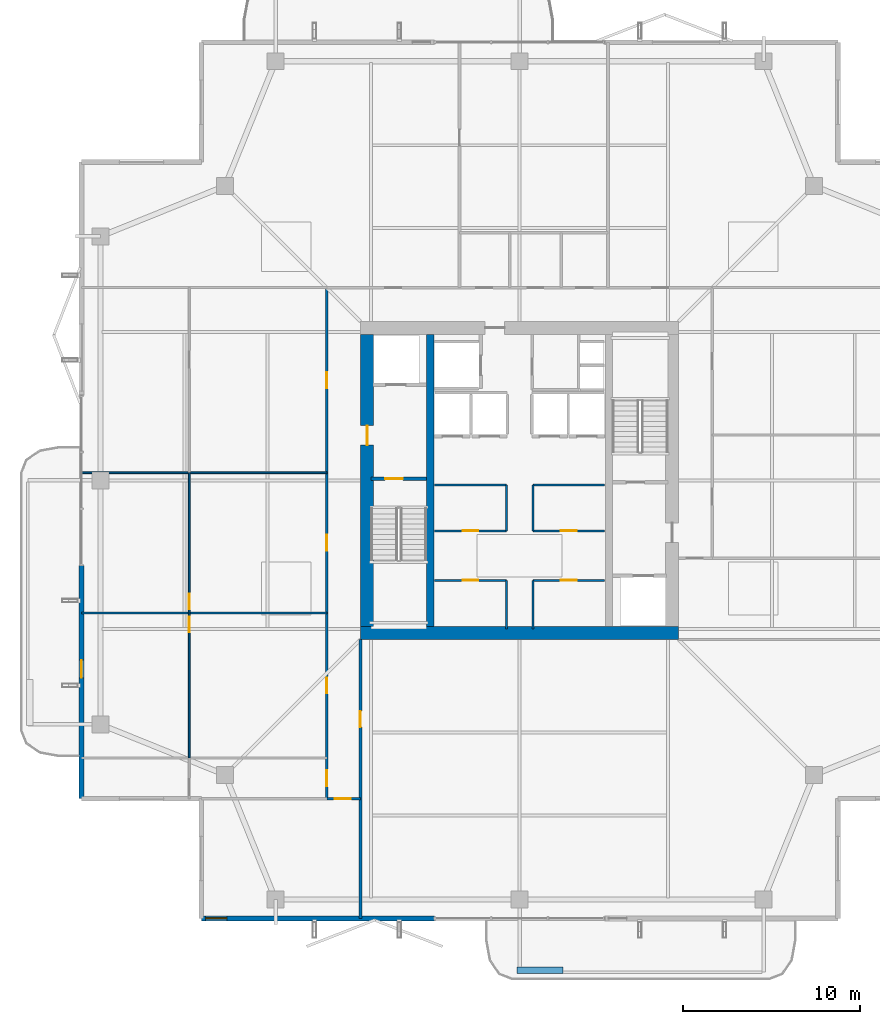
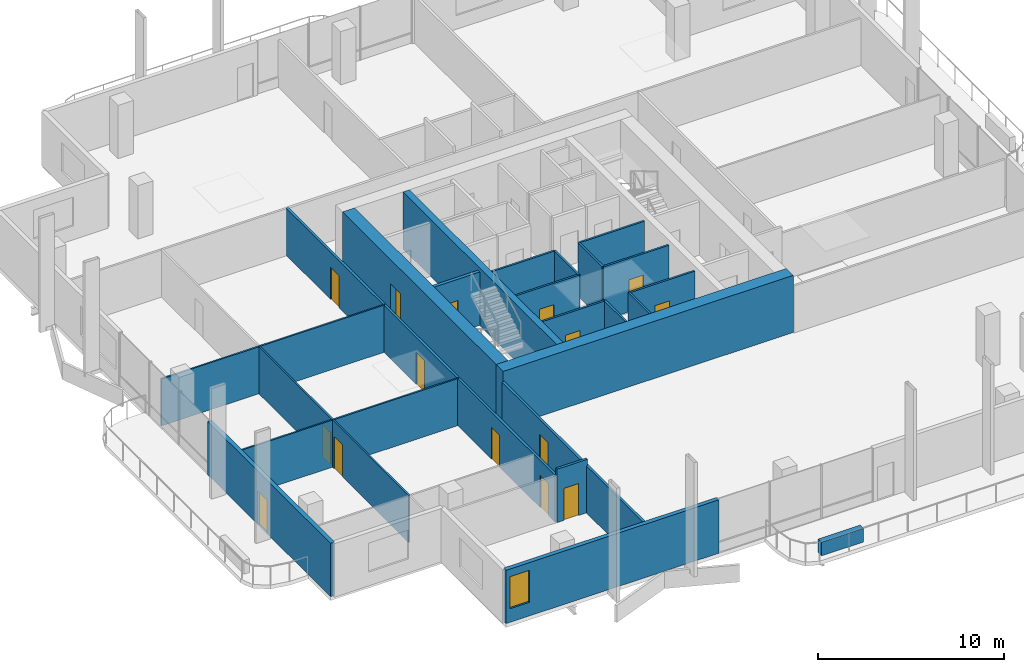
# One storey, part 18 of 25: 24 walls, 15 doors, 1 window, 16 openings.
"""IFC4 building model written with IfcOpenShell, lengths in metres."""

from ifc_helpers import new_model, si_unit, direction, frame, frame_2d, origin, place, context, subcontext, project, spatial, rectangle, extrude, material, layer, layer_set, type_object, element, fill, save


model = new_model("IFC4")

# Units and contexts
model_context = context("Model", 3, precision=1e-05, world=origin(), true_north=direction((0.0, 1.0)))
body_context = subcontext(model_context, "Body", "Model", "MODEL_VIEW")
ifc_project = project(units=[si_unit("LENGTHUNIT", "METRE"), si_unit("AREAUNIT", "SQUARE_METRE"), si_unit("VOLUMEUNIT", "CUBIC_METRE"), si_unit("PLANEANGLEUNIT", "RADIAN"), si_unit("MASSUNIT", "GRAM", prefix="KILO")], contexts=[model_context])

# Site, building, storey
site_placement = place(None, origin())
site = spatial("IfcSite", under=ifc_project, at=site_placement, CompositionType="ELEMENT")
building_placement = place(site_placement, origin())
building = spatial("IfcBuilding", under=site, at=building_placement, Name="Belovzor Exchange Tower", CompositionType="ELEMENT")
storey_placement = place(building_placement, frame((0.0, 0.0, 272.85009765625)))
storey = spatial("IfcBuildingStorey", under=building, at=storey_placement, Name="L68", CompositionType="ELEMENT", Elevation=272.85009765625)

# Wall, opening, door
ifc_material_1 = material(Name="Acoustic Laminated Glass and Aluminium", Category="aluminium")
ifc_layer_1 = layer(ifc_material_1, 0.10009765625)
ifc_layer_set_1 = layer_set([ifc_layer_1], Name="Acoustic Laminated Glass and Aluminium")
wall_type_1 = type_object("IfcWallType", Name="Demountable Executive Glass Partition 100", PredefinedType="MOVABLE", material=ifc_layer_set_1)
wall_1_placement = place(storey_placement, frame((10.114990234375, 13.10009765625, 0.0), z_axis=(0.0, 0.0, 1.0), x_axis=(0.0, 1.0, 0.0)))
wall_1 = element("IfcWall", 1, at=wall_1_placement, inside=storey, type_object=wall_type_1, Name="W-M100 Partition Wall W-L68-WHDIV-1", PredefinedType="MOVABLE", context=body_context, shape_type="SweptSolid", body=[
    extrude(rectangle(XDim=8.203857421875, YDim=0.10009765625, at=frame_2d((4.10205078125, 0.0))), origin(), (0.0, 0.0, 1.0), 3.0849609375),
])
opening_1_placement = place(wall_1_placement, frame((7.10400390625, 0.0, 0.0)))
opening_1 = element("IfcOpeningElement", 2, at=opening_1_placement, cuts=wall_1, Name="Opening D-INT-090", PredefinedType="OPENING", context=body_context, shape_type="SweptSolid", body=[
    extrude(rectangle(XDim=0.89990234375, YDim=2.10009765625, at=frame_2d((0.449951171875, 1.050048828125))), frame((0.0, 0.06005859375, 0.0), z_axis=(0.0, -1.0, 0.0), x_axis=(1.0, 0.0, 0.0)), (0.0, 0.0, 1.0), 0.1201171875),
])
ifc_material_2 = material(Name="Veneered Hardwood Acoustic Leaf", Category="wood")
door_type_1 = type_object("IfcDoorType", Name="Trading Suite Acoustic Single Door 900x2100", OperationType="NOTDEFINED", PredefinedType="DOOR", material=ifc_material_2)
door_1_placement = place(opening_1_placement, origin())
door_1 = element("IfcDoor", 3, at=door_1_placement, inside=storey, type_object=door_type_1, Name="D-INT-090 Trading Suite Acoustic Single Door 900x2100", OperationType="SINGLE_SWING_LEFT", OverallHeight=2.10009765625, OverallWidth=0.89990234375, PredefinedType="DOOR", context=body_context, shape_type="SweptSolid", body=[
    extrude(rectangle(XDim=0.89990234375, YDim=2.10009765625, at=frame_2d((0.449951171875, 1.050048828125))), frame((0.0, 0.02490234375, 0.0), z_axis=(0.0, -1.0, 0.0), x_axis=(1.0, 0.0, 0.0)), (0.0, 0.0, 1.0), 0.050048828125),
])
fill(opening_1, door_1)

# Wall
wall_2_placement = place(storey_placement, frame((4.030029296875, 21.303955078125, 0.0), z_axis=(0.0, 0.0, 1.0), x_axis=(1.0, 0.0, 0.0)))
element("IfcWall", 4, at=wall_2_placement, inside=storey, type_object=wall_type_1, Name="W-M100 Partition Wall W-L68-WDIV-2", PredefinedType="MOVABLE", context=body_context, shape_type="SweptSolid", body=[
    extrude(rectangle(XDim=13.869873046875, YDim=0.10009765625, at=frame_2d((6.93505859375, 0.0))), origin(), (0.0, 0.0, 1.0), 3.0849609375),
])

# Wall, opening, door
wall_3_placement = place(storey_placement, frame((10.114990234375, 21.303955078125, 0.0), z_axis=(0.0, 0.0, 1.0), x_axis=(0.0, 1.0, 0.0)))
wall_3 = element("IfcWall", 5, at=wall_3_placement, inside=storey, type_object=wall_type_1, Name="W-M100 Partition Wall W-L68-WHDIV-2", PredefinedType="MOVABLE", context=body_context, shape_type="SweptSolid", body=[
    extrude(rectangle(XDim=7.93115234375, YDim=0.10009765625, at=frame_2d((3.965576171875, 0.0))), origin(), (0.0, 0.0, 1.0), 3.0849609375),
])
opening_2_placement = place(wall_3_placement, frame((0.199951171875, 0.0, 0.0)))
opening_2 = element("IfcOpeningElement", 6, at=opening_2_placement, cuts=wall_3, Name="Opening D-INT-090", PredefinedType="OPENING", context=body_context, shape_type="SweptSolid", body=[
    extrude(rectangle(XDim=0.89990234375, YDim=2.10009765625, at=frame_2d((0.449951171875, 1.050048828125))), frame((0.0, 0.06005859375, 0.0), z_axis=(0.0, -1.0, 0.0), x_axis=(1.0, 0.0, 0.0)), (0.0, 0.0, 1.0), 0.1201171875),
])
door_2_placement = place(opening_2_placement, origin())
door_2 = element("IfcDoor", 7, at=door_2_placement, inside=storey, type_object=door_type_1, Name="D-INT-090 Trading Suite Acoustic Single Door 900x2100", OperationType="SINGLE_SWING_LEFT", OverallHeight=2.10009765625, OverallWidth=0.89990234375, PredefinedType="DOOR", context=body_context, shape_type="SweptSolid", body=[
    extrude(rectangle(XDim=0.89990234375, YDim=2.10009765625, at=frame_2d((0.449951171875, 1.050048828125))), frame((0.0, 0.02490234375, 0.0), z_axis=(0.0, -1.0, 0.0), x_axis=(1.0, 0.0, 0.0)), (0.0, 0.0, 1.0), 0.050048828125),
])
fill(opening_2, door_2)

# Wall
wall_4_placement = place(storey_placement, frame((4.030029296875, 29.235107421875, 0.0), z_axis=(0.0, 0.0, 1.0), x_axis=(1.0, 0.0, 0.0)))
element("IfcWall", 8, at=wall_4_placement, inside=storey, type_object=wall_type_1, Name="W-M100 Partition Wall W-L68-WDIV-3", PredefinedType="MOVABLE", context=body_context, shape_type="SweptSolid", body=[
    extrude(rectangle(XDim=13.869873046875, YDim=0.10009765625, at=frame_2d((6.93505859375, 0.0))), origin(), (0.0, 0.0, 1.0), 3.0849609375),
])

# Wall, opening, door
ifc_material_3 = material(Name="Fire-Rated Plasterboard on Galvanised Studs", Category="gypsum")
ifc_layer_2 = layer(ifc_material_3, 0.1201171875)
ifc_layer_set_2 = layer_set([ifc_layer_2], Name="Fire-Rated Plasterboard on Galvanised Studs")
wall_type_2 = type_object("IfcWallType", Name="Fire-Rated Double-Stud Partition Wall 120", PredefinedType="PARTITIONING", material=ifc_layer_set_2)
wall_5_placement = place(storey_placement, frame((24.0, 23.14990234375, 0.0), z_axis=(0.0, 0.0, 1.0), x_axis=(1.0, 0.0, 0.0)))
wall_5 = element("IfcWall", 9, at=wall_5_placement, inside=storey, type_object=wall_type_2, Name="W-P120F Partition Wall W-CRL-L68-WN", PredefinedType="PARTITIONING", context=body_context, shape_type="SweptSolid", body=[
    extrude(rectangle(XDim=4.050048828125, YDim=0.1201171875, at=frame_2d((2.02490234375, 0.0))), origin(), (0.0, 0.0, 1.0), 3.5),
])
opening_3_placement = place(wall_5_placement, frame((1.574951171875, 0.0, 0.0)))
opening_3 = element("IfcOpeningElement", 10, at=opening_3_placement, cuts=wall_5, Name="Opening D-FD60-090", PredefinedType="OPENING", context=body_context, shape_type="SweptSolid", body=[
    extrude(rectangle(XDim=0.89990234375, YDim=2.10009765625, at=frame_2d((0.449951171875, 1.050048828125))), frame((0.0, 0.070068359375, 0.0), z_axis=(0.0, -1.0, 0.0), x_axis=(1.0, 0.0, 0.0)), (0.0, 0.0, 1.0), 0.14013671875),
])
ifc_material_4 = material(Name="Acoustic Timber Fire Leaf", Category="wood")
door_type_2 = type_object("IfcDoorType", Name="Core Service & Restroom Fire Door 900x2100", OperationType="NOTDEFINED", PredefinedType="DOOR", material=ifc_material_4)
door_3_placement = place(opening_3_placement, origin())
door_3 = element("IfcDoor", 11, at=door_3_placement, inside=storey, type_object=door_type_2, Name="D-FD60-090 Core Service & Restroom Fire Door 900x2100", OperationType="SINGLE_SWING_LEFT", OverallHeight=2.10009765625, OverallWidth=0.89990234375, PredefinedType="DOOR", context=body_context, shape_type="SweptSolid", body=[
    extrude(rectangle(XDim=0.89990234375, YDim=2.10009765625, at=frame_2d((0.449951171875, 1.050048828125))), frame((0.0, 0.02490234375, 0.0), z_axis=(0.0, -1.0, 0.0), x_axis=(1.0, 0.0, 0.0)), (0.0, 0.0, 1.0), 0.050048828125),
])
fill(opening_3, door_3)

# Wall
wall_6_placement = place(storey_placement, frame((28.050048828125, 20.39990234375, 0.0), z_axis=(0.0, 0.0, 1.0), x_axis=(0.0, 1.0, 0.0)))
element("IfcWall", 12, at=wall_6_placement, inside=storey, type_object=wall_type_2, Name="W-P120F Partition Wall W-CRL-L68-WE", PredefinedType="PARTITIONING", context=body_context, shape_type="SweptSolid", body=[
    extrude(rectangle(XDim=2.75, YDim=0.1201171875, at=frame_2d((1.375, 0.0))), origin(), (0.0, 0.0, 1.0), 3.5),
])

# Wall, opening, door
wall_7_placement = place(storey_placement, frame((29.550048828125, 23.14990234375, 0.0), z_axis=(0.0, 0.0, 1.0), x_axis=(1.0, 0.0, 0.0)))
wall_7 = element("IfcWall", 13, at=wall_7_placement, inside=storey, type_object=wall_type_2, Name="W-P120F Partition Wall W-CRL-L68-EN", PredefinedType="PARTITIONING", context=body_context, shape_type="SweptSolid", body=[
    extrude(rectangle(XDim=4.050048828125, YDim=0.1201171875, at=frame_2d((2.02490234375, 0.0))), origin(), (0.0, 0.0, 1.0), 3.5),
])
opening_4_placement = place(wall_7_placement, frame((1.574951171875, 0.0, 0.0)))
opening_4 = element("IfcOpeningElement", 14, at=opening_4_placement, cuts=wall_7, Name="Opening D-FD60-090", PredefinedType="OPENING", context=body_context, shape_type="SweptSolid", body=[
    extrude(rectangle(XDim=0.89990234375, YDim=2.10009765625, at=frame_2d((0.449951171875, 1.050048828125))), frame((0.0, 0.070068359375, 0.0), z_axis=(0.0, -1.0, 0.0), x_axis=(1.0, 0.0, 0.0)), (0.0, 0.0, 1.0), 0.14013671875),
])
door_4_placement = place(opening_4_placement, origin())
door_4 = element("IfcDoor", 15, at=door_4_placement, inside=storey, type_object=door_type_2, Name="D-FD60-090 Core Service & Restroom Fire Door 900x2100", OperationType="SINGLE_SWING_RIGHT", OverallHeight=2.10009765625, OverallWidth=0.89990234375, PredefinedType="DOOR", context=body_context, shape_type="SweptSolid", body=[
    extrude(rectangle(XDim=0.89990234375, YDim=2.10009765625, at=frame_2d((0.449951171875, 1.050048828125))), frame((0.0, 0.02490234375, 0.0), z_axis=(0.0, -1.0, 0.0), x_axis=(1.0, 0.0, 0.0)), (0.0, 0.0, 1.0), 0.050048828125),
])
fill(opening_4, door_4)

# Wall
wall_8_placement = place(storey_placement, frame((29.550048828125, 20.39990234375, 0.0), z_axis=(0.0, 0.0, 1.0), x_axis=(0.0, 1.0, 0.0)))
element("IfcWall", 16, at=wall_8_placement, inside=storey, type_object=wall_type_2, Name="W-P120F Partition Wall W-CRL-L68-EW", PredefinedType="PARTITIONING", context=body_context, shape_type="SweptSolid", body=[
    extrude(rectangle(XDim=2.75, YDim=0.1201171875, at=frame_2d((1.375, 0.0))), origin(), (0.0, 0.0, 1.0), 3.5),
])

# Wall, opening, door
wall_9_placement = place(storey_placement, frame((24.0, 25.949951171875, 0.0), z_axis=(0.0, 0.0, 1.0), x_axis=(1.0, 0.0, 0.0)))
wall_9 = element("IfcWall", 17, at=wall_9_placement, inside=storey, type_object=wall_type_2, Name="W-P120F Partition Wall W-CRM-L68-WS", PredefinedType="PARTITIONING", context=body_context, shape_type="SweptSolid", body=[
    extrude(rectangle(XDim=4.050048828125, YDim=0.1201171875, at=frame_2d((2.02490234375, 0.0))), origin(), (0.0, 0.0, 1.0), 3.5),
])
opening_5_placement = place(wall_9_placement, frame((1.574951171875, 0.0, 0.0)))
opening_5 = element("IfcOpeningElement", 18, at=opening_5_placement, cuts=wall_9, Name="Opening D-FD60-090", PredefinedType="OPENING", context=body_context, shape_type="SweptSolid", body=[
    extrude(rectangle(XDim=0.89990234375, YDim=2.10009765625, at=frame_2d((0.449951171875, 1.050048828125))), frame((0.0, 0.070068359375, 0.0), z_axis=(0.0, -1.0, 0.0), x_axis=(1.0, 0.0, 0.0)), (0.0, 0.0, 1.0), 0.14013671875),
])
door_5_placement = place(opening_5_placement, origin())
door_5 = element("IfcDoor", 19, at=door_5_placement, inside=storey, type_object=door_type_2, Name="D-FD60-090 Core Service & Restroom Fire Door 900x2100", OperationType="SINGLE_SWING_LEFT", OverallHeight=2.10009765625, OverallWidth=0.89990234375, PredefinedType="DOOR", context=body_context, shape_type="SweptSolid", body=[
    extrude(rectangle(XDim=0.89990234375, YDim=2.10009765625, at=frame_2d((0.449951171875, 1.050048828125))), frame((0.0, 0.02490234375, 0.0), z_axis=(0.0, -1.0, 0.0), x_axis=(1.0, 0.0, 0.0)), (0.0, 0.0, 1.0), 0.050048828125),
])
fill(opening_5, door_5)

# Walls
wall_10_placement = place(storey_placement, frame((24.0, 28.550048828125, 0.0), z_axis=(0.0, 0.0, 1.0), x_axis=(1.0, 0.0, 0.0)))
element("IfcWall", 20, at=wall_10_placement, inside=storey, type_object=wall_type_2, Name="W-P120F Partition Wall W-CRM-L68-WN", PredefinedType="PARTITIONING", context=body_context, shape_type="SweptSolid", body=[
    extrude(rectangle(XDim=4.050048828125, YDim=0.1201171875, at=frame_2d((2.02490234375, 0.0))), origin(), (0.0, 0.0, 1.0), 3.5),
])
wall_11_placement = place(storey_placement, frame((28.050048828125, 25.949951171875, 0.0), z_axis=(0.0, 0.0, 1.0), x_axis=(0.0, 1.0, 0.0)))
element("IfcWall", 21, at=wall_11_placement, inside=storey, type_object=wall_type_2, Name="W-P120F Partition Wall W-CRM-L68-WE", PredefinedType="PARTITIONING", context=body_context, shape_type="SweptSolid", body=[
    extrude(rectangle(XDim=2.60009765625, YDim=0.1201171875, at=frame_2d((1.300048828125, 0.0))), origin(), (0.0, 0.0, 1.0), 3.5),
])

# Wall, opening, door
wall_12_placement = place(storey_placement, frame((29.550048828125, 25.949951171875, 0.0), z_axis=(0.0, 0.0, 1.0), x_axis=(1.0, 0.0, 0.0)))
wall_12 = element("IfcWall", 22, at=wall_12_placement, inside=storey, type_object=wall_type_2, Name="W-P120F Partition Wall W-CRM-L68-ES", PredefinedType="PARTITIONING", context=body_context, shape_type="SweptSolid", body=[
    extrude(rectangle(XDim=4.050048828125, YDim=0.1201171875, at=frame_2d((2.02490234375, 0.0))), origin(), (0.0, 0.0, 1.0), 3.5),
])
opening_6_placement = place(wall_12_placement, frame((1.574951171875, 0.0, 0.0)))
opening_6 = element("IfcOpeningElement", 23, at=opening_6_placement, cuts=wall_12, Name="Opening D-FD60-090", PredefinedType="OPENING", context=body_context, shape_type="SweptSolid", body=[
    extrude(rectangle(XDim=0.89990234375, YDim=2.10009765625, at=frame_2d((0.449951171875, 1.050048828125))), frame((0.0, 0.070068359375, 0.0), z_axis=(0.0, -1.0, 0.0), x_axis=(1.0, 0.0, 0.0)), (0.0, 0.0, 1.0), 0.14013671875),
])
door_6_placement = place(opening_6_placement, origin())
door_6 = element("IfcDoor", 24, at=door_6_placement, inside=storey, type_object=door_type_2, Name="D-FD60-090 Core Service & Restroom Fire Door 900x2100", OperationType="SINGLE_SWING_RIGHT", OverallHeight=2.10009765625, OverallWidth=0.89990234375, PredefinedType="DOOR", context=body_context, shape_type="SweptSolid", body=[
    extrude(rectangle(XDim=0.89990234375, YDim=2.10009765625, at=frame_2d((0.449951171875, 1.050048828125))), frame((0.0, 0.02490234375, 0.0), z_axis=(0.0, -1.0, 0.0), x_axis=(1.0, 0.0, 0.0)), (0.0, 0.0, 1.0), 0.050048828125),
])
fill(opening_6, door_6)

# Walls
wall_13_placement = place(storey_placement, frame((29.550048828125, 28.550048828125, 0.0), z_axis=(0.0, 0.0, 1.0), x_axis=(1.0, 0.0, 0.0)))
element("IfcWall", 25, at=wall_13_placement, inside=storey, type_object=wall_type_2, Name="W-P120F Partition Wall W-CRM-L68-EN", PredefinedType="PARTITIONING", context=body_context, shape_type="SweptSolid", body=[
    extrude(rectangle(XDim=4.050048828125, YDim=0.1201171875, at=frame_2d((2.02490234375, 0.0))), origin(), (0.0, 0.0, 1.0), 3.5),
])
wall_14_placement = place(storey_placement, frame((29.550048828125, 25.949951171875, 0.0), z_axis=(0.0, 0.0, 1.0), x_axis=(0.0, 1.0, 0.0)))
element("IfcWall", 26, at=wall_14_placement, inside=storey, type_object=wall_type_2, Name="W-P120F Partition Wall W-CRM-L68-EW", PredefinedType="PARTITIONING", context=body_context, shape_type="SweptSolid", body=[
    extrude(rectangle(XDim=2.60009765625, YDim=0.1201171875, at=frame_2d((1.300048828125, 0.0))), origin(), (0.0, 0.0, 1.0), 3.5),
])

# Wall, opening, door
ifc_material_5 = material(Name="Fire-Rated Gypsum Block and Mineral Wool", Category="gypsum")
ifc_layer_3 = layer(ifc_material_5, 0.14990234375)
ifc_layer_set_3 = layer_set([ifc_layer_3], Name="Fire-Rated Gypsum Block and Mineral Wool")
wall_type_3 = type_object("IfcWallType", Name="Fire-Rated Gypsum Block Corridor Wall 150", PredefinedType="PARTITIONING", material=ifc_layer_set_3)
wall_15_placement = place(storey_placement, frame((17.89990234375, 10.800048828125, 0.0), z_axis=(0.0, 0.0, 1.0), x_axis=(1.0, 0.0, 0.0)))
wall_15 = element("IfcWall", 27, at=wall_15_placement, inside=storey, type_object=wall_type_3, Name="W-P150 Partition Wall W-L68-CW-END", PredefinedType="PARTITIONING", context=body_context, shape_type="SweptSolid", body=[
    extrude(rectangle(XDim=1.900146484375, YDim=0.14990234375, at=frame_2d((0.9501953125, 0.0))), origin(), (0.0, 0.0, 1.0), 3.5),
])
opening_7_placement = place(wall_15_placement, frame((0.449951171875, 0.0, 0.0)))
opening_7 = element("IfcOpeningElement", 28, at=opening_7_placement, cuts=wall_15, Name="Opening D-FD60-090", PredefinedType="OPENING", context=body_context, shape_type="SweptSolid", body=[
    extrude(rectangle(XDim=0.89990234375, YDim=2.10009765625, at=frame_2d((0.449951171875, 1.050048828125))), frame((0.0, 0.0849609375, 0.0), z_axis=(0.0, -1.0, 0.0), x_axis=(1.0, 0.0, 0.0)), (0.0, 0.0, 1.0), 0.169921875),
])
door_7_placement = place(opening_7_placement, origin())
door_7 = element("IfcDoor", 29, at=door_7_placement, inside=storey, type_object=door_type_2, Name="D-FD60-090 Core Service & Restroom Fire Door 900x2100", OperationType="SINGLE_SWING_LEFT", OverallHeight=2.10009765625, OverallWidth=0.89990234375, PredefinedType="DOOR", context=body_context, shape_type="SweptSolid", body=[
    extrude(rectangle(XDim=0.89990234375, YDim=2.10009765625, at=frame_2d((0.449951171875, 1.050048828125))), frame((0.0, 0.02490234375, 0.0), z_axis=(0.0, -1.0, 0.0), x_axis=(1.0, 0.0, 0.0)), (0.0, 0.0, 1.0), 0.050048828125),
])
fill(opening_7, door_7)

wall_16_placement = place(storey_placement, frame((19.800048828125, 4.030029296875, 0.0), z_axis=(0.0, 0.0, 1.0), x_axis=(0.0, 1.0, 0.0)))
wall_16 = element("IfcWall", 30, at=wall_16_placement, inside=storey, type_object=wall_type_3, Name="W-P150 Partition Wall W-L68-CW-E", PredefinedType="PARTITIONING", context=body_context, shape_type="SweptSolid", body=[
    extrude(rectangle(XDim=15.77001953125, YDim=0.14990234375, at=frame_2d((7.885009765625, 0.0))), origin(), (0.0, 0.0, 1.0), 3.0849609375),
])
opening_8_placement = place(wall_16_placement, frame((10.820068359375, 0.0, 0.0)))
opening_8 = element("IfcOpeningElement", 31, at=opening_8_placement, cuts=wall_16, Name="Opening D-FD60-090", PredefinedType="OPENING", context=body_context, shape_type="SweptSolid", body=[
    extrude(rectangle(XDim=0.89990234375, YDim=2.10009765625, at=frame_2d((0.449951171875, 1.050048828125))), frame((0.0, 0.0849609375, 0.0), z_axis=(0.0, -1.0, 0.0), x_axis=(1.0, 0.0, 0.0)), (0.0, 0.0, 1.0), 0.169921875),
])
door_8_placement = place(opening_8_placement, origin())
door_8 = element("IfcDoor", 32, at=door_8_placement, inside=storey, type_object=door_type_2, Name="D-FD60-090 Core Service & Restroom Fire Door 900x2100", OperationType="SINGLE_SWING_RIGHT", OverallHeight=2.10009765625, OverallWidth=0.89990234375, PredefinedType="DOOR", context=body_context, shape_type="SweptSolid", body=[
    extrude(rectangle(XDim=0.89990234375, YDim=2.10009765625, at=frame_2d((0.449951171875, 1.050048828125))), frame((0.0, 0.02490234375, 0.0), z_axis=(0.0, -1.0, 0.0), x_axis=(1.0, 0.0, 0.0)), (0.0, 0.0, 1.0), 0.050048828125),
])
fill(opening_8, door_8)

# Wall, openings, doors
wall_17_placement = place(storey_placement, frame((17.89990234375, 10.800048828125, 0.0), z_axis=(0.0, 0.0, 1.0), x_axis=(0.0, 1.0, 0.0)))
wall_17 = element("IfcWall", 33, at=wall_17_placement, inside=storey, type_object=wall_type_3, Name="W-P150 Partition Wall W-L68-CW", PredefinedType="PARTITIONING", context=body_context, shape_type="SweptSolid", body=[
    extrude(rectangle(XDim=28.89990234375, YDim=0.14990234375, at=frame_2d((14.449951171875, 0.0))), origin(), (0.0, 0.0, 1.0), 3.0849609375),
])
opening_9_placement = place(wall_17_placement, frame((0.699951171875, 0.0, 0.0)))
opening_9 = element("IfcOpeningElement", 34, at=opening_9_placement, cuts=wall_17, Name="Opening D-INT-090", PredefinedType="OPENING", context=body_context, shape_type="SweptSolid", body=[
    extrude(rectangle(XDim=0.89990234375, YDim=2.10009765625, at=frame_2d((0.449951171875, 1.050048828125))), frame((0.0, 0.0849609375, 0.0), z_axis=(0.0, -1.0, 0.0), x_axis=(1.0, 0.0, 0.0)), (0.0, 0.0, 1.0), 0.169921875),
])
opening_10_placement = place(wall_17_placement, frame((5.951904296875, 0.0, 0.0)))
opening_10 = element("IfcOpeningElement", 35, at=opening_10_placement, cuts=wall_17, Name="Opening D-INT-090", PredefinedType="OPENING", context=body_context, shape_type="SweptSolid", body=[
    extrude(rectangle(XDim=0.89990234375, YDim=2.10009765625, at=frame_2d((0.449951171875, 1.050048828125))), frame((0.0, 0.0849609375, 0.0), z_axis=(0.0, -1.0, 0.0), x_axis=(1.0, 0.0, 0.0)), (0.0, 0.0, 1.0), 0.169921875),
])
opening_11_placement = place(wall_17_placement, frame((14.02001953125, 0.0, 0.0)))
opening_11 = element("IfcOpeningElement", 36, at=opening_11_placement, cuts=wall_17, Name="Opening D-INT-090", PredefinedType="OPENING", context=body_context, shape_type="SweptSolid", body=[
    extrude(rectangle(XDim=0.89990234375, YDim=2.10009765625, at=frame_2d((0.449951171875, 1.050048828125))), frame((0.0, 0.0849609375, 0.0), z_axis=(0.0, -1.0, 0.0), x_axis=(1.0, 0.0, 0.0)), (0.0, 0.0, 1.0), 0.169921875),
])
opening_12_placement = place(wall_17_placement, frame((23.217041015625, 0.0, 0.0)))
opening_12 = element("IfcOpeningElement", 37, at=opening_12_placement, cuts=wall_17, Name="Opening D-INT-090", PredefinedType="OPENING", context=body_context, shape_type="SweptSolid", body=[
    extrude(rectangle(XDim=0.89990234375, YDim=2.10009765625, at=frame_2d((0.449951171875, 1.050048828125))), frame((0.0, 0.0849609375, 0.0), z_axis=(0.0, -1.0, 0.0), x_axis=(1.0, 0.0, 0.0)), (0.0, 0.0, 1.0), 0.169921875),
])
door_9_placement = place(opening_9_placement, origin())
door_9 = element("IfcDoor", 38, at=door_9_placement, inside=storey, type_object=door_type_1, Name="D-INT-090 Trading Suite Acoustic Single Door 900x2100", OperationType="SINGLE_SWING_LEFT", OverallHeight=2.10009765625, OverallWidth=0.89990234375, PredefinedType="DOOR", context=body_context, shape_type="SweptSolid", body=[
    extrude(rectangle(XDim=0.89990234375, YDim=2.10009765625, at=frame_2d((0.449951171875, 1.050048828125))), frame((0.0, 0.02490234375, 0.0), z_axis=(0.0, -1.0, 0.0), x_axis=(1.0, 0.0, 0.0)), (0.0, 0.0, 1.0), 0.050048828125),
])
fill(opening_9, door_9)
door_10_placement = place(opening_10_placement, origin())
door_10 = element("IfcDoor", 39, at=door_10_placement, inside=storey, type_object=door_type_1, Name="D-INT-090 Trading Suite Acoustic Single Door 900x2100", OperationType="SINGLE_SWING_RIGHT", OverallHeight=2.10009765625, OverallWidth=0.89990234375, PredefinedType="DOOR", context=body_context, shape_type="SweptSolid", body=[
    extrude(rectangle(XDim=0.89990234375, YDim=2.10009765625, at=frame_2d((0.449951171875, 1.050048828125))), frame((0.0, 0.02490234375, 0.0), z_axis=(0.0, -1.0, 0.0), x_axis=(1.0, 0.0, 0.0)), (0.0, 0.0, 1.0), 0.050048828125),
])
fill(opening_10, door_10)
door_11_placement = place(opening_11_placement, origin())
door_11 = element("IfcDoor", 40, at=door_11_placement, inside=storey, type_object=door_type_1, Name="D-INT-090 Trading Suite Acoustic Single Door 900x2100", OperationType="SINGLE_SWING_LEFT", OverallHeight=2.10009765625, OverallWidth=0.89990234375, PredefinedType="DOOR", context=body_context, shape_type="SweptSolid", body=[
    extrude(rectangle(XDim=0.89990234375, YDim=2.10009765625, at=frame_2d((0.449951171875, 1.050048828125))), frame((0.0, 0.02490234375, 0.0), z_axis=(0.0, -1.0, 0.0), x_axis=(1.0, 0.0, 0.0)), (0.0, 0.0, 1.0), 0.050048828125),
])
fill(opening_11, door_11)
door_12_placement = place(opening_12_placement, origin())
door_12 = element("IfcDoor", 41, at=door_12_placement, inside=storey, type_object=door_type_1, Name="D-INT-090 Trading Suite Acoustic Single Door 900x2100", OperationType="SINGLE_SWING_RIGHT", OverallHeight=2.10009765625, OverallWidth=0.89990234375, PredefinedType="DOOR", context=body_context, shape_type="SweptSolid", body=[
    extrude(rectangle(XDim=0.89990234375, YDim=2.10009765625, at=frame_2d((0.449951171875, 1.050048828125))), frame((0.0, 0.02490234375, 0.0), z_axis=(0.0, -1.0, 0.0), x_axis=(1.0, 0.0, 0.0)), (0.0, 0.0, 1.0), 0.050048828125),
])
fill(opening_12, door_12)

# Wall, opening, window
ifc_material_6 = material(Name="Precast concrete C40/50", Category="concrete")
ifc_layer_4 = layer(ifc_material_6, 0.260009765625)
ifc_layer_set_4 = layer_set([ifc_layer_4], Name="Precast concrete C40/50")
wall_type_4 = type_object("IfcWallType", Name="Precast Concrete Perimeter Loggia Frame Wall 260", PredefinedType="SOLIDWALL", material=ifc_layer_set_4)
wall_18_placement = place(storey_placement, frame((24.0, 4.030029296875, 0.0), z_axis=(0.0, 0.0, 1.0), x_axis=(-1.0, 0.0, 0.0)))
wall_18 = element("IfcWall", 42, at=wall_18_placement, inside=storey, type_object=wall_type_4, Name="W-EXT260 Precast Concrete Perimeter Loggia Frame Wall 260 L68", PredefinedType="SOLIDWALL", context=body_context, shape_type="SweptSolid", body=[
    extrude(rectangle(XDim=13.199951171875, YDim=0.260009765625, at=frame_2d((6.60009765625, 0.0))), origin(), (0.0, 0.0, 1.0), 3.5),
])
opening_13_placement = place(wall_18_placement, frame((11.75, 0.0, 0.89990234375)))
opening_13 = element("IfcOpeningElement", 43, at=opening_13_placement, cuts=wall_18, Name="Opening WN-CRN120", PredefinedType="OPENING", context=body_context, shape_type="SweptSolid", body=[
    extrude(rectangle(XDim=1.199951171875, YDim=2.10009765625, at=frame_2d((0.60009765625, 1.050048828125))), frame((0.0, 0.139892578125, 0.0), z_axis=(0.0, -1.0, 0.0), x_axis=(1.0, 0.0, 0.0)), (0.0, 0.0, 1.0), 0.280029296875),
])
ifc_material_7 = material(Name="Thermally Broken Aluminium and Triple Glazing", Category="aluminium")
window_type = type_object("IfcWindowType", Name="Streamline Notched Corner Window 1200x2100", PartitioningType="SINGLE_PANEL", PredefinedType="WINDOW", material=ifc_material_7)
window_placement = place(opening_13_placement, origin())
window = element("IfcWindow", 44, at=window_placement, inside=storey, type_object=window_type, Name="WN-CRN120 Streamline Notched Corner Window 1200x2100", OverallHeight=2.10009765625, OverallWidth=1.199951171875, PartitioningType="SINGLE_PANEL", PredefinedType="WINDOW", context=body_context, shape_type="SweptSolid", body=[
    extrude(rectangle(XDim=1.199951171875, YDim=2.10009765625, at=frame_2d((0.60009765625, 1.050048828125))), frame((0.0, 0.030029296875, 0.0), z_axis=(0.0, -1.0, 0.0), x_axis=(1.0, 0.0, 0.0)), (0.0, 0.0, 1.0), 0.06005859375),
])
fill(opening_13, window)

# Wall, opening, door
wall_19_placement = place(storey_placement, frame((4.030029296875, 10.800048828125, 0.0), z_axis=(0.0, 0.0, 1.0), x_axis=(0.0, 1.0, 0.0)))
wall_19 = element("IfcWall", 45, at=wall_19_placement, inside=storey, type_object=wall_type_4, Name="W-EXT260 Precast Concrete Perimeter Loggia Frame Wall 260 L68", PredefinedType="SOLIDWALL", context=body_context, shape_type="SweptSolid", body=[
    extrude(rectangle(XDim=13.199951171875, YDim=0.260009765625, at=frame_2d((6.60009765625, 0.0))), origin(), (0.0, 0.0, 1.0), 3.5),
])
opening_14_placement = place(wall_19_placement, frame((6.8359375, 0.0, 0.0)))
opening_14 = element("IfcOpeningElement", 46, at=opening_14_placement, cuts=wall_19, Name="Opening D-BAL100", PredefinedType="OPENING", context=body_context, shape_type="SweptSolid", body=[
    extrude(rectangle(XDim=1.0, YDim=2.199951171875, at=frame_2d((0.5, 1.10009765625))), frame((0.0, 0.139892578125, 0.0), z_axis=(0.0, -1.0, 0.0), x_axis=(1.0, 0.0, 0.0)), (0.0, 0.0, 1.0), 0.280029296875),
])
ifc_material_8 = material(Name="Thermally Broken Anodised Aluminium and Laminated Glass", Category="aluminium")
door_type_3 = type_object("IfcDoorType", Name="Planted Loggia Terrace Glazed Door 1000x2200", OperationType="SINGLE_SWING_LEFT", PredefinedType="DOOR", material=ifc_material_8)
door_13_placement = place(opening_14_placement, origin())
door_13 = element("IfcDoor", 47, at=door_13_placement, inside=storey, type_object=door_type_3, Name="D-BAL100 Balcony Terrace Door L68 W", OperationType="SINGLE_SWING_RIGHT", OverallHeight=2.199951171875, OverallWidth=1.0, PredefinedType="DOOR", context=body_context, shape_type="SweptSolid", body=[
    extrude(rectangle(XDim=1.0, YDim=2.199951171875, at=frame_2d((0.5, 1.10009765625))), frame((0.0, 0.02490234375, 0.0), z_axis=(0.0, -1.0, 0.0), x_axis=(1.0, 0.0, 0.0)), (0.0, 0.0, 1.0), 0.050048828125),
])
fill(opening_14, door_13)

# Walls
ifc_material_9 = material(Name="Precast concrete C40/50", Category="concrete")
ifc_layer_5 = layer(ifc_material_9, 0.35009765625)
ifc_layer_set_5 = layer_set([ifc_layer_5], Name="Precast concrete C40/50")
wall_type_5 = type_object("IfcWallType", Name="Precast Concrete Structural Tree Planter Trough 350", PredefinedType="PARAPET", material=ifc_layer_set_5)
wall_20_placement = place(storey_placement, frame((28.64990234375, 1.10009765625, 0.0), z_axis=(0.0, 0.0, 1.0), x_axis=(1.0, 0.0, 0.0)))
element("IfcWall", 48, at=wall_20_placement, inside=storey, type_object=wall_type_5, Name="PT-350 Precast Concrete Structural Tree Planter Trough 350 L68", PredefinedType="PARAPET", context=body_context, shape_type="SweptSolid", body=[
    extrude(rectangle(XDim=2.60009765625, YDim=0.35009765625, at=frame_2d((1.300048828125, 0.0))), origin(), (0.0, 0.0, 1.0), 0.89990234375),
])
ifc_material_10 = material(Name="Concrete C50/60", Category="concrete")
ifc_layer_6 = layer(ifc_material_10, 0.39990234375)
ifc_layer_set_6 = layer_set([ifc_layer_6], Name="Concrete C50/60")
wall_type_6 = type_object("IfcWallType", Name="Reinforced Concrete Core Internal Web Wall 400", PredefinedType="SHEAR", material=ifc_layer_set_6)
wall_21_placement = place(storey_placement, frame((23.75, 20.550048828125, 0.0), z_axis=(0.0, 0.0, 1.0), x_axis=(0.0, 1.0, 0.0)))
element("IfcWall", 49, at=wall_21_placement, inside=storey, type_object=wall_type_6, Name="CW-W040 Core Internal Web Wall L68 WL", PredefinedType="SHEAR", context=body_context, shape_type="SweptSolid", body=[
    extrude(rectangle(XDim=16.5, YDim=0.39990234375, at=frame_2d((8.25, 0.0))), origin(), (0.0, 0.0, 1.0), 3.75),
])

# Wall, opening, door
ifc_material_11 = material(Name="Concrete C50/60", Category="concrete")
ifc_layer_7 = layer(ifc_material_11, 0.199951171875)
ifc_layer_set_7 = layer_set([ifc_layer_7], Name="Concrete C50/60")
wall_type_7 = type_object("IfcWallType", Name="Reinforced Concrete Core Shaft Shear Wall 200", PredefinedType="SHEAR", material=ifc_layer_set_7)
wall_22_placement = place(storey_placement, frame((20.39990234375, 28.89990234375, 0.0), z_axis=(0.0, 0.0, 1.0), x_axis=(1.0, 0.0, 0.0)))
wall_22 = element("IfcWall", 50, at=wall_22_placement, inside=storey, type_object=wall_type_7, Name="W-C200S Core Shaft Wall W-CORE-L68-FFLW1", PredefinedType="SHEAR", context=body_context, shape_type="SweptSolid", body=[
    extrude(rectangle(XDim=3.150146484375, YDim=0.199951171875, at=frame_2d((1.5751953125, 0.0))), origin(), (0.0, 0.0, 1.0), 3.5),
])
opening_15_placement = place(wall_22_placement, frame((0.800048828125, 0.0, 0.0)))
opening_15 = element("IfcOpeningElement", 51, at=opening_15_placement, cuts=wall_22, Name="Opening D-FD90-100", PredefinedType="OPENING", context=body_context, shape_type="SweptSolid", body=[
    extrude(rectangle(XDim=1.0, YDim=2.10009765625, at=frame_2d((0.5, 1.050048828125))), frame((0.0, 0.10986328125, 0.0), z_axis=(0.0, -1.0, 0.0), x_axis=(1.0, 0.0, 0.0)), (0.0, 0.0, 1.0), 0.219970703125),
])
ifc_material_12 = material(Name="Fire-Rated Galvanised Steel Leaf", Category="steel")
door_type_4 = type_object("IfcDoorType", Name="Protected Stairwell Single Fire Door 1000x2100", OperationType="NOTDEFINED", PredefinedType="DOOR", material=ifc_material_12)
door_14_placement = place(opening_15_placement, origin())
door_14 = element("IfcDoor", 52, at=door_14_placement, inside=storey, type_object=door_type_4, Name="D-FD90-100 Protected Stairwell Single Fire Door 1000x2100", OperationType="SINGLE_SWING_RIGHT", OverallHeight=2.10009765625, OverallWidth=1.0, PredefinedType="DOOR", context=body_context, shape_type="SweptSolid", body=[
    extrude(rectangle(XDim=1.0, YDim=2.10009765625, at=frame_2d((0.5, 1.050048828125))), frame((0.0, 0.02490234375, 0.0), z_axis=(0.0, -1.0, 0.0), x_axis=(1.0, 0.0, 0.0)), (0.0, 0.0, 1.0), 0.050048828125),
])
fill(opening_15, door_14)

# Wall
ifc_material_13 = material(Name="Concrete C50/60", Category="concrete")
ifc_layer_8 = layer(ifc_material_13, 0.75)
ifc_layer_set_8 = layer_set([ifc_layer_8], Name="Concrete C50/60")
wall_type_8 = type_object("IfcWallType", Name="Reinforced Concrete Core Shear Wall 750", PredefinedType="SHEAR", material=ifc_layer_set_8)
wall_23_placement = place(storey_placement, frame((19.800048828125, 20.175048828125, 0.0), z_axis=(0.0, 0.0, 1.0), x_axis=(1.0, 0.0, 0.0)))
element("IfcWall", 53, at=wall_23_placement, inside=storey, type_object=wall_type_8, Name="CW-S075 Core Shear Wall L68 S", PredefinedType="SHEAR", context=body_context, shape_type="SweptSolid", body=[
    extrude(rectangle(XDim=18.0, YDim=0.75, at=frame_2d((9.0, 0.0))), origin(), (0.0, 0.0, 1.0), 3.75),
])

# Wall, opening, door
wall_24_placement = place(storey_placement, frame((20.175048828125, 20.550048828125, 0.0), z_axis=(0.0, 0.0, 1.0), x_axis=(0.0, 1.0, 0.0)))
wall_24 = element("IfcWall", 54, at=wall_24_placement, inside=storey, type_object=wall_type_8, Name="CW-S075 Core Shear Wall L68 W", PredefinedType="SHEAR", context=body_context, shape_type="SweptSolid", body=[
    extrude(rectangle(XDim=16.5, YDim=0.75, at=frame_2d((8.25, 0.0))), origin(), (0.0, 0.0, 1.0), 3.75),
])
opening_16_placement = place(wall_24_placement, frame((10.25, 0.0, 0.0)))
opening_16 = element("IfcOpeningElement", 55, at=opening_16_placement, cuts=wall_24, Name="Opening D-FD90-110", PredefinedType="OPENING", context=body_context, shape_type="SweptSolid", body=[
    extrude(rectangle(XDim=1.10009765625, YDim=2.14990234375, at=frame_2d((0.550048828125, 1.074951171875))), frame((0.0, 0.385009765625, 0.0), z_axis=(0.0, -1.0, 0.0), x_axis=(1.0, 0.0, 0.0)), (0.0, 0.0, 1.0), 0.77001953125),
])
ifc_material_14 = material(Name="Fire-Rated Galvanised Steel Leaf", Category="steel")
door_type_5 = type_object("IfcDoorType", Name="Protected Escape Vestibule Fire Door 1100x2150", OperationType="NOTDEFINED", PredefinedType="DOOR", material=ifc_material_14)
door_15_placement = place(opening_16_placement, origin())
door_15 = element("IfcDoor", 56, at=door_15_placement, inside=storey, type_object=door_type_5, Name="D-FD90-110 Protected Escape Vestibule Fire Door 1100x2150", OperationType="SINGLE_SWING_LEFT", OverallHeight=2.14990234375, OverallWidth=1.10009765625, PredefinedType="DOOR", context=body_context, shape_type="SweptSolid", body=[
    extrude(rectangle(XDim=1.10009765625, YDim=2.14990234375, at=frame_2d((0.550048828125, 1.074951171875))), frame((0.0, 0.02490234375, 0.0), z_axis=(0.0, -1.0, 0.0), x_axis=(1.0, 0.0, 0.0)), (0.0, 0.0, 1.0), 0.050048828125),
])
fill(opening_16, door_15)

save(model, "model.ifc")
